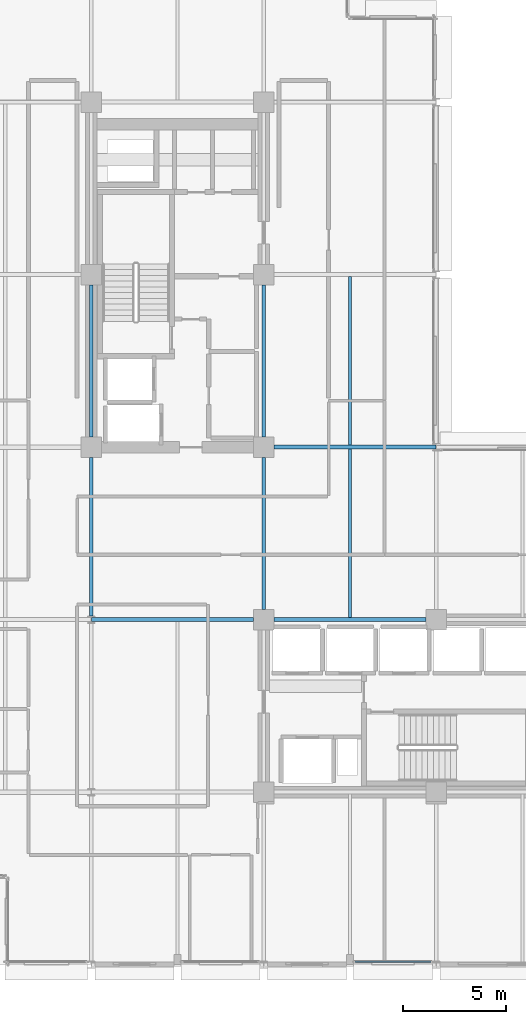
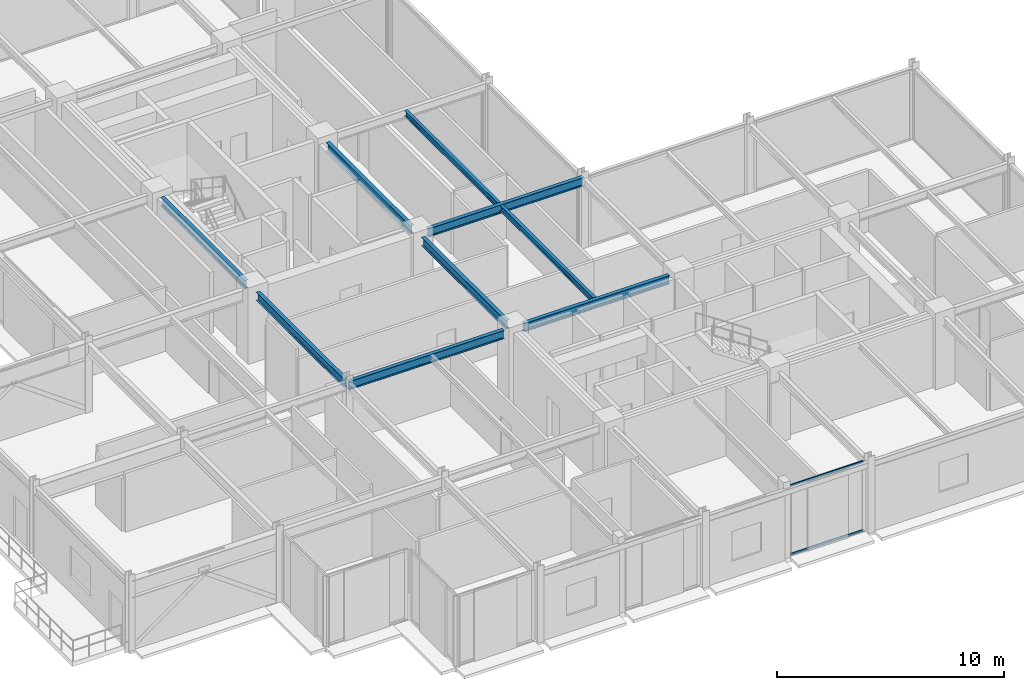
# One storey, part 10 of 30: 9 beams, 2 members, 1 element without a shape of its own.
"""IFC4 building model written with IfcOpenShell, lengths in metres."""

from ifc_helpers import new_model, si_unit, direction, frame, origin, origin_2d, place, context, subcontext, project, spatial, hollow_rectangle, i_section, extrude, material, layer, layer_set, material_profile, profile_set, type_object, element, aggregate, save


model = new_model("IFC4")

# Units and contexts
model_context = context("Model", 3, precision=1e-05, world=origin(), true_north=direction((0.0, 1.0)))
body_context = subcontext(model_context, "Body", "Model", "MODEL_VIEW")
ifc_project = project(units=[si_unit("LENGTHUNIT", "METRE"), si_unit("AREAUNIT", "SQUARE_METRE"), si_unit("VOLUMEUNIT", "CUBIC_METRE"), si_unit("PLANEANGLEUNIT", "RADIAN"), si_unit("MASSUNIT", "GRAM", prefix="KILO")], contexts=[model_context])

# Site, building, storey
site_placement = place(None, origin())
site = spatial("IfcSite", under=ifc_project, at=site_placement, CompositionType="ELEMENT")
building_placement = place(site_placement, origin())
building = spatial("IfcBuilding", under=site, at=building_placement, Name="Nerrivon Quay Data Exchange", CompositionType="ELEMENT")
storey_placement = place(building_placement, frame((0.0, 0.0, 216.5)))
storey = spatial("IfcBuildingStorey", under=building, at=storey_placement, Name="L51", CompositionType="ELEMENT", Elevation=216.5)

# Beams
ifc_material_1 = material(Name="Steel Grade 350", Category="steel")
ifc_material_profile_1 = material_profile(ifc_material_1, i_section(OverallWidth=0.19091796875, OverallDepth=0.4599609375, WebThickness=0.010009765625, FlangeThickness=0.01611328125, FilletRadius=0.011474609375, at=origin_2d()), Name="460UB82.1")
ifc_profile_set_1 = profile_set([ifc_material_profile_1], Name="Steel Grade 350")
beam_type_1 = type_object("IfcBeamType", Name="BM-G5-460UB82", PredefinedType="BEAM", material=ifc_profile_set_1)
beam_1_placement = place(storey_placement, frame((8.409912109375, 16.800048828125, 3.52001953125), z_axis=(1.0, 0.0, 0.0), x_axis=(0.0, 1.0, 0.0)))
element("IfcBeam", 1, at=beam_1_placement, inside=storey, type_object=beam_type_1, Name="L51 EW Girder Y=16.8 (8.4..16.8)", PredefinedType="BEAM", context=body_context, shape_type="SweptSolid", body=[
    extrude(i_section(OverallWidth=0.19091796875, OverallDepth=0.4599609375, WebThickness=0.010009765625, FlangeThickness=0.01611328125, FilletRadius=0.011474609375, at=origin_2d()), origin(), (0.0, 0.0, 1.0), 7.89013671875),
])
beam_2_placement = place(storey_placement, frame((17.300048828125, 16.800048828125, 3.52001953125), z_axis=(1.0, 0.0, 0.0), x_axis=(0.0, 1.0, 0.0)))
element("IfcBeam", 2, at=beam_2_placement, inside=storey, type_object=beam_type_1, Name="L51 EW Girder Y=16.8 (16.8..25.2)", PredefinedType="BEAM", context=body_context, shape_type="SweptSolid", body=[
    extrude(i_section(OverallWidth=0.19091796875, OverallDepth=0.4599609375, WebThickness=0.010009765625, FlangeThickness=0.01611328125, FilletRadius=0.011474609375, at=origin_2d()), origin(), (0.0, 0.0, 1.0), 7.39990234375),
])
beam_3_placement = place(storey_placement, frame((17.300048828125, 25.199951171875, 3.52001953125), z_axis=(1.0, 0.0, 0.0), x_axis=(0.0, 1.0, 0.0)))
element("IfcBeam", 3, at=beam_3_placement, inside=storey, type_object=beam_type_1, Name="L51 EW Girder Y=25.2 (16.8..25.2)", PredefinedType="BEAM", context=body_context, shape_type="SweptSolid", body=[
    extrude(i_section(OverallWidth=0.19091796875, OverallDepth=0.4599609375, WebThickness=0.010009765625, FlangeThickness=0.01611328125, FilletRadius=0.011474609375, at=origin_2d()), origin(), (0.0, 0.0, 1.0), 7.889892578125),
])
ifc_material_profile_2 = material_profile(ifc_material_1, i_section(OverallWidth=0.18994140625, OverallDepth=0.4541015625, WebThickness=0.008544921875, FlangeThickness=0.0126953125, FilletRadius=0.011474609375, at=origin_2d()), Name="460UB67.1")
ifc_profile_set_2 = profile_set([ifc_material_profile_2], Name="Steel Grade 350")
beam_type_2 = type_object("IfcBeamType", Name="BM-G6-460UB67", PredefinedType="BEAM", material=ifc_profile_set_2)
beam_4_placement = place(storey_placement, frame((8.39990234375, 16.97509765625, 3.52294921875), z_axis=(0.0, 1.0, 0.0), x_axis=(-1.0, 0.0, 0.0)))
element("IfcBeam", 4, at=beam_4_placement, inside=storey, type_object=beam_type_2, Name="L51 NS Girder X=8.4 (16.8..25.2)", PredefinedType="BEAM", context=body_context, shape_type="SweptSolid", body=[
    extrude(i_section(OverallWidth=0.18994140625, OverallDepth=0.4541015625, WebThickness=0.008544921875, FlangeThickness=0.0126953125, FilletRadius=0.011474609375, at=origin_2d()), origin(), (0.0, 0.0, 1.0), 7.724853515625),
])
beam_5_placement = place(storey_placement, frame((8.39990234375, 25.699951171875, 3.52294921875), z_axis=(0.0, 1.0, 0.0), x_axis=(-1.0, 0.0, 0.0)))
element("IfcBeam", 5, at=beam_5_placement, inside=storey, type_object=beam_type_2, Name="L51 NS Girder X=8.4 (25.2..33.6)", PredefinedType="BEAM", context=body_context, shape_type="SweptSolid", body=[
    extrude(i_section(OverallWidth=0.18994140625, OverallDepth=0.4541015625, WebThickness=0.008544921875, FlangeThickness=0.0126953125, FilletRadius=0.011474609375, at=origin_2d()), origin(), (0.0, 0.0, 1.0), 7.400146484375),
])
beam_6_placement = place(storey_placement, frame((16.800048828125, 17.300048828125, 3.52294921875), z_axis=(0.0, 1.0, 0.0), x_axis=(-1.0, 0.0, 0.0)))
element("IfcBeam", 6, at=beam_6_placement, inside=storey, type_object=beam_type_2, Name="L51 NS Girder X=16.8 (16.8..25.2)", PredefinedType="BEAM", context=body_context, shape_type="SweptSolid", body=[
    extrude(i_section(OverallWidth=0.18994140625, OverallDepth=0.4541015625, WebThickness=0.008544921875, FlangeThickness=0.0126953125, FilletRadius=0.011474609375, at=origin_2d()), origin(), (0.0, 0.0, 1.0), 7.39990234375),
])
beam_7_placement = place(storey_placement, frame((16.800048828125, 25.699951171875, 3.52294921875), z_axis=(0.0, 1.0, 0.0), x_axis=(-1.0, 0.0, 0.0)))
element("IfcBeam", 7, at=beam_7_placement, inside=storey, type_object=beam_type_2, Name="L51 NS Girder X=16.8 (25.2..33.6)", PredefinedType="BEAM", context=body_context, shape_type="SweptSolid", body=[
    extrude(i_section(OverallWidth=0.18994140625, OverallDepth=0.4541015625, WebThickness=0.008544921875, FlangeThickness=0.0126953125, FilletRadius=0.011474609375, at=origin_2d()), origin(), (0.0, 0.0, 1.0), 7.400146484375),
])
ifc_material_profile_3 = material_profile(ifc_material_1, i_section(OverallWidth=0.166015625, OverallDepth=0.306884765625, WebThickness=0.006591796875, FlangeThickness=0.01171875, FilletRadius=0.011474609375, at=origin_2d()), Name="310UB46.2")
ifc_profile_set_3 = profile_set([ifc_material_profile_3], Name="Steel Grade 350")
beam_type_3 = type_object("IfcBeamType", Name="BM-J5-310UB46", PredefinedType="JOIST", material=ifc_profile_set_3)
for number, where, z_axis, x_axis, name in (
    (8, (21.0, 16.8955078125, 3.596435546875), (0.0, 1.0, 0.0), (-1.0, 0.0, 0.0), "L51 Secondary Joist X=21.0 (16.8..25.2)"),
    (9, (21.0, 25.29541015625, 3.596435546875), (0.0, 1.0, 0.0), (-1.0, 0.0, 0.0), "L51 Secondary Joist X=21.0 (25.2..33.6)"),
):
    element("IfcBeam", number, at=place(storey_placement, frame(where, z_axis=z_axis, x_axis=x_axis)), inside=storey, type_object=beam_type_3, Name=name, PredefinedType="JOIST", context=body_context, shape_type="SweptSolid", body=[
        extrude(i_section(OverallWidth=0.166015625, OverallDepth=0.306884765625, WebThickness=0.006591796875, FlangeThickness=0.01171875, FilletRadius=0.011474609375, at=origin_2d()), origin(), (0.0, 0.0, 1.0), 8.208984375),
    ])

# Curtain wall, members
ifc_material_2 = material(Name="Anodised aluminium 6063-T6", Category="aluminium")
ifc_layer = layer(ifc_material_2, 0.195068359375)
ifc_layer_set = layer_set([ifc_layer], Name="Anodised aluminium 6063-T6")
curtain_wall_type = type_object("IfcCurtainWallType", Name="CW-SYS-06", PredefinedType="NOTDEFINED", material=ifc_layer_set)
curtain_wall_placement = place(storey_placement, origin())
curtain_wall = element("IfcCurtainWall", 10, at=curtain_wall_placement, inside=storey, type_object=curtain_wall_type, Name="L51 Unitised Curtain Wall 24", PredefinedType="NOTDEFINED")
ifc_material_profile_4 = material_profile(ifc_material_2, hollow_rectangle(XDim=0.06005859375, YDim=0.1201171875, WallThickness=0.003173828125, at=origin_2d()), Name="ALU-TRAN-120x60")
ifc_profile_set_4 = profile_set([ifc_material_profile_4], Name="Anodised aluminium 6063-T6")
member_type = type_object("IfcMemberType", Name="CWT-120x60", PredefinedType="USERDEFINED", material=ifc_profile_set_4)
member_1_placement = place(storey_placement, frame((24.949951171875, 0.139892578125, 0.032470703125), z_axis=(-1.0, 0.0, 0.0), x_axis=(0.0, -1.0, 0.0)))
member_1 = element("IfcMember", 11, at=member_1_placement, type_object=member_type, Name="CW06 transom 1.1", ObjectType="TRANSOM", PredefinedType="USERDEFINED", context=body_context, shape_type="SweptSolid", body=[
    extrude(hollow_rectangle(XDim=0.06005859375, YDim=0.1201171875, WallThickness=0.003173828125, at=origin_2d()), origin(), (0.0, 0.0, 1.0), 3.699951171875),
])
member_2_placement = place(storey_placement, frame((24.949951171875, 0.139892578125, 3.717529296875), z_axis=(-1.0, 0.0, 0.0), x_axis=(0.0, -1.0, 0.0)))
member_2 = element("IfcMember", 12, at=member_2_placement, type_object=member_type, Name="CW06 transom 1.2", ObjectType="TRANSOM", PredefinedType="USERDEFINED", context=body_context, shape_type="SweptSolid", body=[
    extrude(hollow_rectangle(XDim=0.06005859375, YDim=0.1201171875, WallThickness=0.003173828125, at=origin_2d()), origin(), (0.0, 0.0, 1.0), 3.699951171875),
])
aggregate(curtain_wall, [member_1, member_2])

save(model, "model.ifc")
